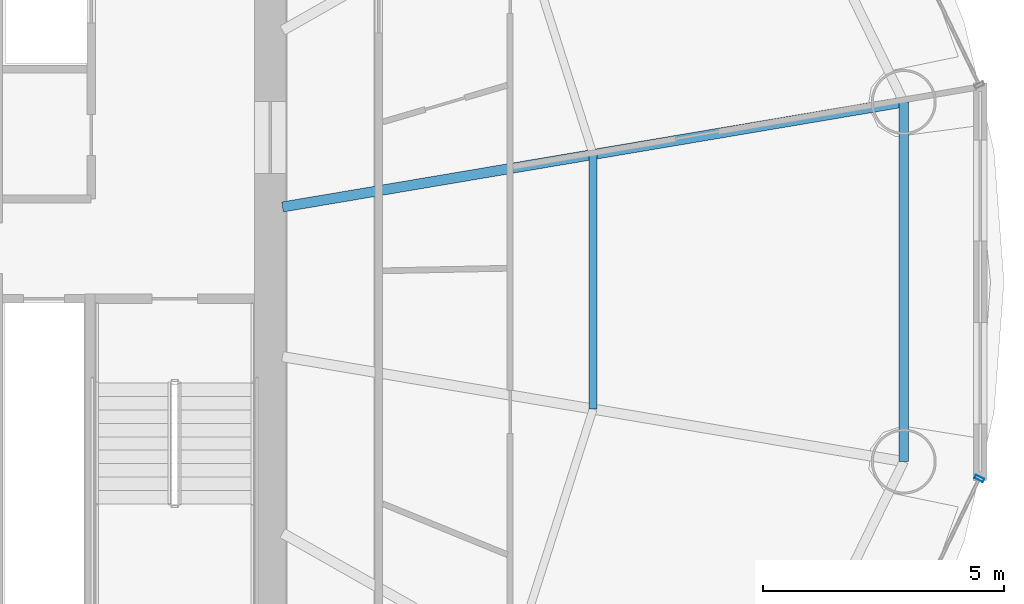
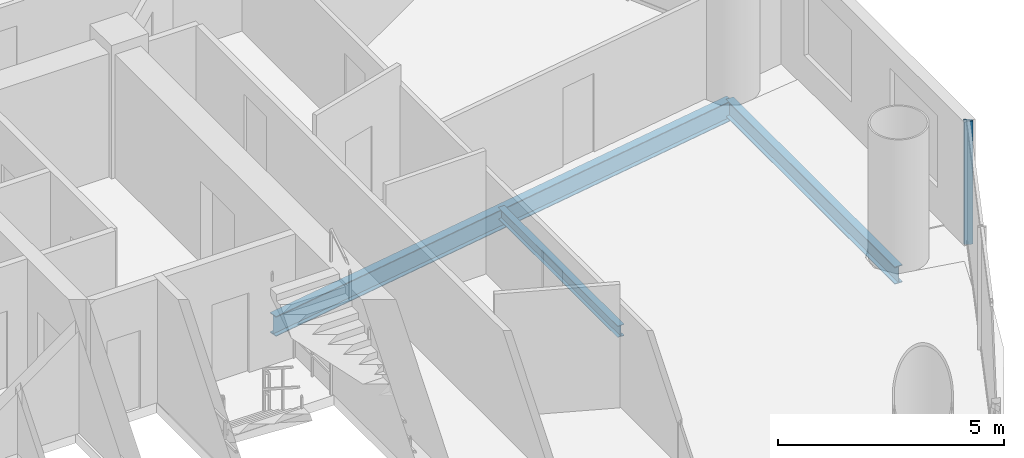
# One storey, part 12 of 27: 3 beams, 1 member, 1 element without a shape of its own.
"""IFC4 building model written with IfcOpenShell, lengths in metres."""

from ifc_helpers import new_model, si_unit, direction, frame, origin, origin_2d, place, context, subcontext, project, spatial, hollow_rectangle, i_section, extrude, source, transform, mapped, material, material_profile, profile_set, type_object, element, aggregate, save


model = new_model("IFC4")

# Units and contexts
model_context = context("Model", 3, precision=1e-05, world=origin(), true_north=direction((-0.2419218956, 0.970295726276)))
body_context = subcontext(model_context, "Body", "Model", "MODEL_VIEW")
ifc_project = project(units=[si_unit("LENGTHUNIT", "METRE"), si_unit("AREAUNIT", "SQUARE_METRE"), si_unit("VOLUMEUNIT", "CUBIC_METRE"), si_unit("PLANEANGLEUNIT", "RADIAN"), si_unit("MASSUNIT", "GRAM", prefix="KILO")], contexts=[model_context])

# Site, building, storey
site_placement = place(None, origin())
site = spatial("IfcSite", under=ifc_project, at=site_placement, CompositionType="ELEMENT")
building_placement = place(site_placement, origin())
building = spatial("IfcBuilding", under=site, at=building_placement, Name="Cobrevalo Terracotta Tower", CompositionType="ELEMENT")
storey_placement = place(building_placement, frame((0.0, 0.0, 146.199951171875)))
storey = spatial("IfcBuildingStorey", under=building, at=storey_placement, Name="L38", CompositionType="ELEMENT", Elevation=146.199951171875)

# Beams
ifc_material_1 = material(Name="Steel S355", Category="steel")
ifc_material_profile_1 = material_profile(ifc_material_1, i_section(OverallWidth=0.2109375, OverallDepth=0.5390625, WebThickness=0.01171875, FlangeThickness=0.018798828125, at=origin_2d()), Name="W 530x109")
ifc_profile_set_1 = profile_set([ifc_material_profile_1], Name="Steel S355")
beam_type_1 = type_object("IfcBeamType", Name="Structural Beam W 530x109 (Steel S355)", PredefinedType="BEAM", material=ifc_profile_set_1)
beam_1_placement = place(storey_placement, frame((60.11669921875, 30.535888671875, -0.53955078125), z_axis=(-0.986032794282, -0.166551279191, 0.0), x_axis=(0.166551279191, -0.986032794282, 0.0)))
element("IfcBeam", 1, at=beam_1_placement, inside=storey, type_object=beam_type_1, Name="L38 radial floor girder 01", PredefinedType="BEAM", context=body_context, shape_type="SweptSolid", body=[
    extrude(i_section(OverallWidth=0.2109375, OverallDepth=0.5390625, WebThickness=0.01171875, FlangeThickness=0.018798828125, at=origin_2d()), origin(), (0.0, 0.0, 1.0), 13.094482421875),
])
ifc_material_profile_2 = material_profile(ifc_material_1, i_section(OverallWidth=0.1650390625, OverallDepth=0.31005859375, WebThickness=0.005859375, FlangeThickness=0.009765625, at=origin_2d()), Name="W 310x38.7")
ifc_profile_set_2 = profile_set([ifc_material_profile_2], Name="Steel S355")
beam_type_2 = type_object("IfcBeamType", Name="Structural Joist W 310x38.7 (Steel S355)", PredefinedType="JOIST", material=ifc_profile_set_2)
beam_2_placement = place(storey_placement, frame((53.660888671875, 24.154541015625, -0.425048828125), z_axis=(0.0, 1.0, 0.0), x_axis=(-1.0, 0.0, 0.0)))
element("IfcBeam", 2, at=beam_2_placement, inside=storey, type_object=beam_type_2, Name="L38 circumferential secondary floor joist 16", PredefinedType="JOIST", context=body_context, shape_type="SweptSolid", body=[
    extrude(i_section(OverallWidth=0.1650390625, OverallDepth=0.31005859375, WebThickness=0.005859375, FlangeThickness=0.009765625, at=origin_2d()), origin(), (0.0, 0.0, 1.0), 5.291015625),
])
ifc_material_profile_3 = material_profile(ifc_material_1, i_section(OverallWidth=0.194091796875, OverallDepth=0.468994140625, WebThickness=0.011474609375, FlangeThickness=0.0205078125, at=origin_2d()), Name="W 460x106")
ifc_profile_set_3 = profile_set([ifc_material_profile_3], Name="Steel S355")
beam_type_3 = type_object("IfcBeamType", Name="Structural Spandrel W 460x106 (Steel S355)", PredefinedType="SPANDREL", material=ifc_profile_set_3)
beam_3_placement = place(storey_placement, frame((60.11669921875, 23.06396484375, -0.50439453125), z_axis=(0.0, 1.0, 0.0), x_axis=(-1.0, 0.0, 0.0)))
element("IfcBeam", 3, at=beam_3_placement, inside=storey, type_object=beam_type_3, Name="L38 perimeter ring spandrel 16", PredefinedType="SPANDREL", context=body_context, shape_type="SweptSolid", body=[
    extrude(i_section(OverallWidth=0.194091796875, OverallDepth=0.468994140625, WebThickness=0.011474609375, FlangeThickness=0.0205078125, at=origin_2d()), origin(), (0.0, 0.0, 1.0), 7.471923828125),
])

# Curtain wall, member
ifc_material_2 = material(Name="Anodized aluminium", Category="aluminium")
curtain_wall_type = type_object("IfcCurtainWallType", Name="Mid-tower high-wind unitised curtain wall CW-U2", PredefinedType="NOTDEFINED", material=ifc_material_2)
curtain_wall_placement = place(storey_placement, origin())
curtain_wall = element("IfcCurtainWall", 4, at=curtain_wall_placement, inside=storey, type_object=curtain_wall_type, Name="L38 curtain wall CW-L38-S15", PredefinedType="NOTDEFINED")
ifc_material_profile_4 = material_profile(ifc_material_2, hollow_rectangle(XDim=0.074951171875, YDim=0.199951171875, WallThickness=0.0048828125, at=origin_2d()), Name="CWM 75x200")
ifc_profile_set_4 = profile_set([ifc_material_profile_4], Name="Anodized aluminium")
member_type = type_object("IfcMemberType", Name="Lower/mid tower unitised mullion 75x200", PredefinedType="MULLION", material=ifc_profile_set_4)
shared_shape = source(origin(), body_context, "Body", "SweptSolid", [
    extrude(hollow_rectangle(XDim=0.074951171875, YDim=0.199951171875, WallThickness=0.0048828125, at=origin_2d()), origin(), (0.0, 0.0, 1.0), 3.330078125),
])
member_placement = place(storey_placement, frame((61.688232421875, 22.7119140625, 0.0), z_axis=(0.0, 0.0, 1.0), x_axis=(0.434209440271, 0.900811945957, 0.0)))
member = element("IfcMember", 5, at=member_placement, type_object=member_type, Name="CW-L38-S15 vertical mullion 03", PredefinedType="MULLION", context=body_context, shape_type="MappedRepresentation", body=[
    mapped(shared_shape, transform((0.0, 0.0, 0.0), scale=1.0)),
])
aggregate(curtain_wall, [member])

save(model, "model.ifc")
